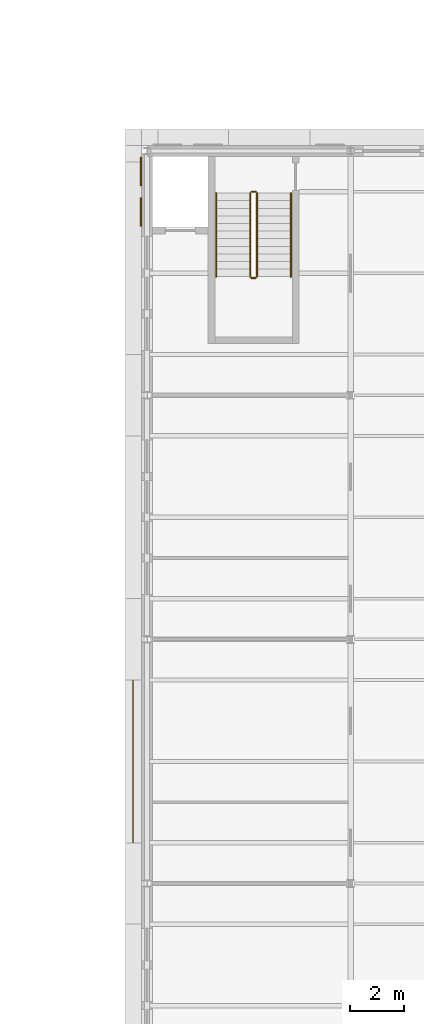
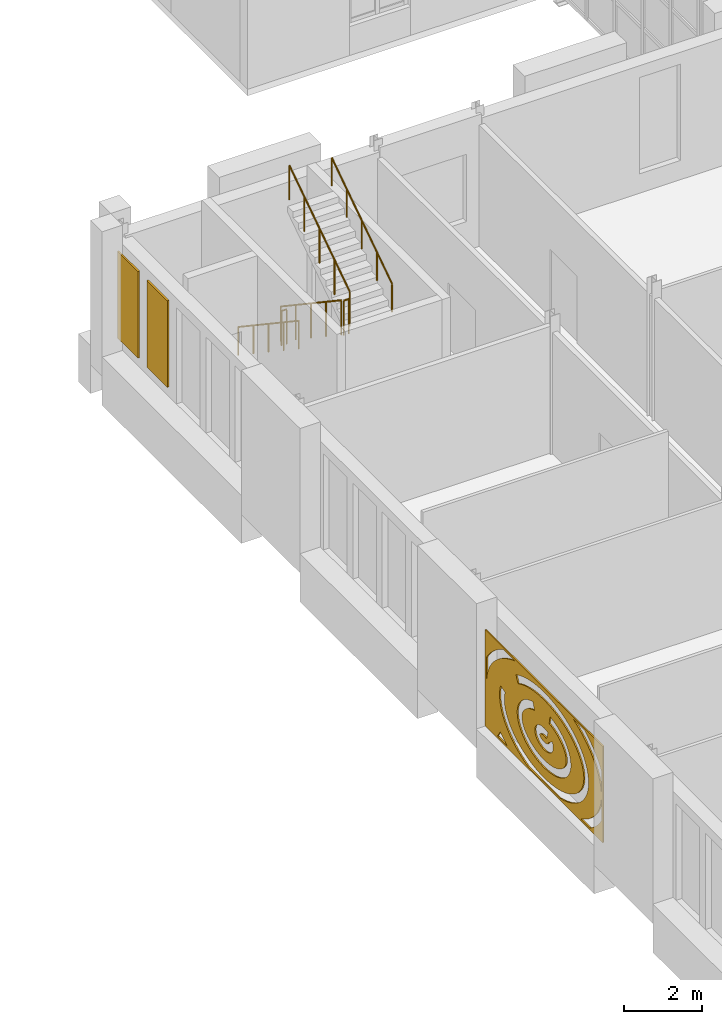
# One storey, part 113 of 131: 6 railings, 3 coverings.
"""IFC4 building model written with IfcOpenShell, lengths in metres."""

from ifc_helpers import new_model, si_unit, direction, frame, origin, origin_2d, place, context, subcontext, project, spatial, polyline, circle, outline, extrude, material, layer, layer_set, type_object, element, save


model = new_model("IFC4")

# Units and contexts
model_context = context("Model", 3, precision=1e-05, world=origin(), true_north=direction((0.0, 1.0)))
body_context = subcontext(model_context, "Body", "Model", "MODEL_VIEW")
ifc_project = project(units=[si_unit("LENGTHUNIT", "METRE"), si_unit("AREAUNIT", "SQUARE_METRE"), si_unit("VOLUMEUNIT", "CUBIC_METRE"), si_unit("PLANEANGLEUNIT", "RADIAN"), si_unit("MASSUNIT", "GRAM", prefix="KILO")], contexts=[model_context])

# Site, building, storey
site_placement = place(None, origin())
site = spatial("IfcSite", under=ifc_project, at=site_placement, CompositionType="ELEMENT")
building_placement = place(site_placement, origin())
building = spatial("IfcBuilding", under=site, at=building_placement, Name="Golden Quay Civic Hall", CompositionType="ELEMENT")
storey_placement = place(building_placement, frame((0.0, 0.0, 9.89990234375)))
storey = spatial("IfcBuildingStorey", under=building, at=storey_placement, Name="L02", CompositionType="ELEMENT", Elevation=9.89990234375)

# Covering
ifc_material_1 = material(Name="Aluminium, golden anodised, perforated", Category="aluminium")
ifc_layer_1 = layer(ifc_material_1, 0.0400390625)
ifc_layer_set_1 = layer_set([ifc_layer_1], Name="Perforated screen panel 6000 x 3000 x 40")
covering_type_1 = type_object("IfcCoveringType", Name="Perforated screen panel 6000 x 3000 x 40", PredefinedType="CLADDING", material=ifc_layer_set_1)
covering_1_placement = place(storey_placement, frame((53.5, 31.5, 2.10009765625), z_axis=(-1.0, 0.0, 0.0), x_axis=(0.0, -1.0, 0.0)))
element("IfcCovering", 1, at=covering_1_placement, inside=storey, type_object=covering_type_1, Name="Perforated screen panel 6000 x 3000 x 40 L02 7", PredefinedType="CLADDING", context=body_context, shape_type="SweptSolid", body=[
    extrude(outline(polyline([(-3.0, -1.5), (3.0, -1.5), (3.0, 1.5), (-3.0, 1.5), (-3.0, -1.5)]), holes=[polyline([(0.0810546875, 0.0087890625), (0.03125, 0.015380859375), (-0.02001953125, 0.01611328125), (-0.070556640625, 0.0107421875), (-0.1171875, 0.0), (-0.157470703125, -0.014892578125), (-0.201904296875, -0.04150390625), (-0.223876953125, -0.065185546875), (-0.228515625, -0.07470703125), (-0.228271484375, -0.085205078125), (-0.211181640625, -0.10986328125), (-0.17431640625, -0.13671875), (-0.1376953125, -0.1533203125), (-0.093994140625, -0.166259765625), (-0.044921875, -0.17431640625), (0.006103515625, -0.176513671875), (0.05712890625, -0.1728515625), (0.10498046875, -0.16357421875), (0.1474609375, -0.1494140625), (0.1953125, -0.123291015625), (0.215087890625, -0.10595703125), (0.227783203125, -0.087158203125), (0.227783203125, -0.072998046875), (0.2177734375, -0.055908203125), (0.421630859375, 0.072509765625), (0.449951171875, 0.020263671875), (0.4619140625, -0.015380859375), (0.46875, -0.052978515625), (0.469970703125, -0.09130859375), (0.46533203125, -0.12939453125), (0.455322265625, -0.16650390625), (0.440185546875, -0.20166015625), (0.412109375, -0.24560546875), (0.370849609375, -0.29052734375), (0.3330078125, -0.321044921875), (0.277587890625, -0.3544921875), (0.206787109375, -0.38427734375), (0.162109375, -0.397705078125), (0.085205078125, -0.412109375), (0.006103515625, -0.41748046875), (-0.0732421875, -0.41357421875), (-0.151123046875, -0.400146484375), (-0.2177734375, -0.380615234375), (-0.28662109375, -0.349853515625), (-0.326904296875, -0.3251953125), (-0.3759765625, -0.285888671875), (-0.40966796875, -0.248779296875), (-0.441650390625, -0.198486328125), (-0.461181640625, -0.147705078125), (-0.47021484375, -0.089599609375), (-0.466064453125, -0.033447265625), (-0.448974609375, 0.02294921875), (-0.431640625, 0.056884765625), (-0.41015625, 0.088134765625), (-0.37646484375, 0.125244140625), (-0.319091796875, 0.17041015625), (-0.253662109375, 0.2060546875), (-0.18212890625, 0.232177734375), (-0.144775390625, 0.24169921875), (-0.07421875, 0.25341796875), (0.01220703125, 0.25732421875), (0.084228515625, 0.252197265625), (0.123046875, 0.24609375), (0.1982421875, 0.227294921875), (0.13037109375, -0.00390625), (0.0810546875, 0.0087890625)]), polyline([(-0.6474609375, 0.453369140625), (-0.7177734375, 0.421875), (-0.783447265625, 0.387451171875), (-0.84423828125, 0.350341796875), (-0.8994140625, 0.31103515625), (-0.948974609375, 0.27001953125), (-0.992431640625, 0.227294921875), (-1.02978515625, 0.18359375), (-1.061279296875, 0.139404296875), (-1.08642578125, 0.0947265625), (-1.105712890625, 0.050048828125), (-1.119140625, 0.005615234375), (-1.126953125, -0.03857421875), (-1.12939453125, -0.082763671875), (-1.126220703125, -0.126953125), (-1.117919921875, -0.171142578125), (-1.103515625, -0.215576171875), (-1.083740234375, -0.26025390625), (-1.0576171875, -0.3046875), (-1.025634765625, -0.34912109375), (-0.9873046875, -0.392578125), (-0.943115234375, -0.43505859375), (-0.892822265625, -0.47607421875), (-0.8369140625, -0.51513671875), (-0.775634765625, -0.5517578125), (-0.709228515625, -0.5859375), (-0.638427734375, -0.6171875), (-0.5634765625, -0.64501953125), (-0.48486328125, -0.66943359375), (-0.403076171875, -0.690185546875), (-0.318603515625, -0.707275390625), (-0.232177734375, -0.72021484375), (-0.144287109375, -0.72900390625), (-0.055419921875, -0.733642578125), (0.03369140625, -0.734130859375), (0.122802734375, -0.73046875), (0.2109375, -0.72265625), (0.2978515625, -0.710693359375), (0.3828125, -0.694580078125), (0.46533203125, -0.6748046875), (0.544677734375, -0.6513671875), (0.62060546875, -0.624267578125), (0.692626953125, -0.59375), (0.760009765625, -0.560302734375), (0.822509765625, -0.524169921875), (0.8798828125, -0.485595703125), (0.931396484375, -0.4453125), (0.977294921875, -0.403076171875), (1.016845703125, -0.359619140625), (1.050537109375, -0.315673828125), (1.077880859375, -0.27099609375), (1.099365234375, -0.226318359375), (1.114990234375, -0.181884765625), (1.124755859375, -0.1376953125), (1.129150390625, -0.093505859375), (1.1279296875, -0.04931640625), (1.12158203125, -0.005126953125), (1.109619140625, 0.039306640625), (1.091796875, 0.083984375), (1.06787109375, 0.12841796875), (1.0380859375, 0.1728515625), (1.002197265625, 0.216796875), (0.9599609375, 0.259765625), (0.911865234375, 0.30126953125), (0.858154296875, 0.341064453125), (0.798583984375, 0.378662109375), (0.734130859375, 0.413818359375), (0.6650390625, 0.446044921875), (0.59130859375, 0.47509765625), (0.513916015625, 0.5009765625), (0.433349609375, 0.523193359375), (0.349853515625, 0.54150390625), (0.26123046875, 0.556396484375), (0.30126953125, 0.7939453125), (0.392822265625, 0.778564453125), (0.488037109375, 0.7578125), (0.587158203125, 0.73046875), (0.670654296875, 0.70263671875), (0.757080078125, 0.668701171875), (0.83935546875, 0.630615234375), (0.92431640625, 0.584228515625), (0.997802734375, 0.537353515625), (1.05859375, 0.4921875), (1.121337890625, 0.438720703125), (1.177734375, 0.381591796875), (1.23486328125, 0.31201171875), (1.277587890625, 0.2470703125), (1.307373046875, 0.19140625), (1.335693359375, 0.122314453125), (1.35595703125, 0.051025390625), (1.36865234375, -0.0361328125), (1.369384765625, -0.109619140625), (1.361328125, -0.182861328125), (1.344482421875, -0.254638671875), (1.32470703125, -0.31201171875), (1.286376953125, -0.39208984375), (1.245849609375, -0.456787109375), (1.205322265625, -0.510009765625), (1.14404296875, -0.576904296875), (1.083984375, -0.6318359375), (1.025146484375, -0.677978515625), (0.946533203125, -0.730712890625), (0.870361328125, -0.7744140625), (0.79638671875, -0.811279296875), (0.704833984375, -0.849853515625), (0.616455078125, -0.88134765625), (0.524658203125, -0.908203125), (0.430419921875, -0.930908203125), (0.339599609375, -0.947998046875), (0.2353515625, -0.96240234375), (0.135498046875, -0.97119140625), (0.035400390625, -0.97509765625), (-0.0595703125, -0.974609375), (-0.159912109375, -0.969482421875), (-0.264892578125, -0.958740234375), (-0.357421875, -0.945068359375), (-0.453369140625, -0.92578125), (-0.55322265625, -0.900390625), (-0.63818359375, -0.8740234375), (-0.725830078125, -0.841796875), (-0.809814453125, -0.804931640625), (-0.889404296875, -0.764404296875), (-0.96435546875, -0.719482421875), (-1.034423828125, -0.6708984375), (-1.09912109375, -0.618896484375), (-1.15771484375, -0.56298828125), (-1.21728515625, -0.4951171875), (-1.2626953125, -0.431396484375), (-1.30078125, -0.364501953125), (-1.326416015625, -0.307861328125), (-1.349609375, -0.2373046875), (-1.3662109375, -0.150634765625), (-1.3701171875, -0.091796875), (-1.3671875, -0.018310546875), (-1.351806640625, 0.068603515625), (-1.32958984375, 0.13916015625), (-1.29931640625, 0.20751953125), (-1.261474609375, 0.2734375), (-1.223388671875, 0.327392578125), (-1.171875, 0.38818359375), (-1.114013671875, 0.445556640625), (-1.042724609375, 0.504638671875), (-0.973388671875, 0.5537109375), (-0.89892578125, 0.598876953125), (-0.81982421875, 0.64013671875), (-0.736328125, 0.67724609375), (-0.649169921875, 0.710205078125), (-0.564697265625, 0.7373046875), (-0.49169921875, 0.507568359375), (-0.572998046875, 0.481689453125), (-0.6474609375, 0.453369140625)]), polyline([(-2.023193359375, 0.012939453125), (-2.029052734375, -0.059814453125), (-2.02734375, -0.13232421875), (-2.018310546875, -0.205078125), (-2.001708984375, -0.277587890625), (-1.977294921875, -0.349853515625), (-1.9453125, -0.421875), (-1.905517578125, -0.492919921875), (-1.85791015625, -0.563232421875), (-1.802734375, -0.632080078125), (-1.739990234375, -0.69921875), (-1.669921875, -0.764404296875), (-1.592529296875, -0.8271484375), (-1.50830078125, -0.886962890625), (-1.417724609375, -0.94384765625), (-1.32080078125, -0.997314453125), (-1.218017578125, -1.046875), (-1.110107421875, -1.092529296875), (-0.997314453125, -1.1337890625), (-0.88037109375, -1.1708984375), (-0.759521484375, -1.203125), (-0.635009765625, -1.230712890625), (-0.508056640625, -1.25341796875), (-0.37890625, -1.27099609375), (-0.248046875, -1.283203125), (-0.115966796875, -1.29052734375), (0.0166015625, -1.29248046875), (0.14892578125, -1.289306640625), (0.280517578125, -1.28076171875), (0.4111328125, -1.26708984375), (0.539794921875, -1.248291015625), (0.666259765625, -1.224365234375), (0.789794921875, -1.195556640625), (0.909912109375, -1.162109375), (1.02587890625, -1.1240234375), (1.137451171875, -1.08154296875), (1.244140625, -1.034912109375), (1.345458984375, -0.984130859375), (1.44091796875, -0.929931640625), (1.52978515625, -0.872314453125), (1.6123046875, -0.811767578125), (1.68798828125, -0.748291015625), (1.75634765625, -0.6826171875), (1.817138671875, -0.614990234375), (1.87060546875, -0.5458984375), (1.916015625, -0.475341796875), (1.953857421875, -0.404052734375), (1.98388671875, -0.33203125), (2.00634765625, -0.259521484375), (2.021240234375, -0.18701171875), (2.028564453125, -0.1142578125), (2.0283203125, -0.04150390625), (2.0205078125, 0.031005859375), (2.00537109375, 0.103759765625), (1.982421875, 0.176025390625), (1.951904296875, 0.248046875), (1.913818359375, 0.3193359375), (1.86767578125, 0.389892578125), (1.81396484375, 0.458984375), (1.752685546875, 0.5263671875), (1.683837890625, 0.592041015625), (1.60791015625, 0.6552734375), (1.525146484375, 0.7158203125), (1.435546875, 0.773193359375), (1.33984375, 0.8271484375), (1.23828125, 0.87744140625), (1.13134765625, 0.924072265625), (1.01953125, 0.96630859375), (0.9033203125, 1.004150390625), (0.782958984375, 1.037353515625), (0.6591796875, 1.06591796875), (0.53271484375, 1.08935546875), (0.40380859375, 1.10791015625), (0.273193359375, 1.121337890625), (0.1416015625, 1.12939453125), (0.009033203125, 1.132568359375), (-0.123291015625, 1.130126953125), (-0.25537109375, 1.122802734375), (-0.385986328125, 1.110107421875), (-0.515380859375, 1.09228515625), (-0.64208984375, 1.0693359375), (-0.76611328125, 1.04150390625), (-0.886962890625, 1.0087890625), (-1.00390625, 0.9716796875), (-1.116455078125, 0.929931640625), (-1.22412109375, 0.884033203125), (-1.3291015625, 0.8330078125), (-1.434814453125, 1.04931640625), (-1.3212890625, 1.1044921875), (-1.208251953125, 1.15283203125), (-1.07958984375, 1.200439453125), (-0.952392578125, 1.24072265625), (-0.821533203125, 1.27587890625), (-0.6923828125, 1.304931640625), (-0.55078125, 1.33056640625), (-0.411865234375, 1.349609375), (-0.276123046875, 1.36279296875), (-0.1298828125, 1.37109375), (0.00732421875, 1.373291015625), (0.1494140625, 1.370361328125), (0.290771484375, 1.361572265625), (0.430908203125, 1.347412109375), (0.574462890625, 1.32666015625), (0.705810546875, 1.30224609375), (0.839599609375, 1.271484375), (0.97509765625, 1.23388671875), (1.0966796875, 1.194580078125), (1.21923828125, 1.148193359375), (1.3427734375, 1.0947265625), (1.449951171875, 1.04150390625), (1.556884765625, 0.981201171875), (1.664306640625, 0.912353515625), (1.753173828125, 0.847412109375), (1.841064453125, 0.774658203125), (1.927978515625, 0.691650390625), (1.99560546875, 0.617431640625), (2.06103515625, 0.53369140625), (2.12353515625, 0.437744140625), (2.1669921875, 0.357177734375), (2.20654296875, 0.264892578125), (2.239990234375, 0.158935546875), (2.257568359375, 0.07470703125), (2.2685546875, -0.0224609375), (2.26953125, -0.119873046875), (2.258544921875, -0.229248046875), (2.23828125, -0.3251953125), (2.20849609375, -0.419677734375), (2.169189453125, -0.511962890625), (2.12109375, -0.601806640625), (2.064453125, -0.68896484375), (1.999267578125, -0.772705078125), (1.926513671875, -0.853515625), (1.845947265625, -0.930419921875), (1.75830078125, -1.003662109375), (1.669677734375, -1.068603515625), (1.568603515625, -1.134033203125), (1.461669921875, -1.1953125), (1.34912109375, -1.251708984375), (1.2314453125, -1.303466796875), (1.10888671875, -1.35009765625), (0.982421875, -1.391845703125), (0.802490234375, -1.43994140625), (-0.80419921875, -1.43994140625), (-0.9501953125, -1.4013671875), (-1.072509765625, -1.36279296875), (-1.196044921875, -1.317626953125), (-1.3203125, -1.264892578125), (-1.4287109375, -1.212646484375), (-1.536865234375, -1.153076171875), (-1.645263671875, -1.085205078125), (-1.7353515625, -1.02099609375), (-1.82470703125, -0.948974609375), (-1.9130859375, -0.86669921875), (-1.98779296875, -0.786376953125), (-2.049072265625, -0.7099609375), (-2.10791015625, -0.623779296875), (-2.1630859375, -0.52490234375), (-2.19970703125, -0.44287109375), (-2.231689453125, -0.348876953125), (-2.25439453125, -0.253173828125), (-2.26806640625, -0.14404296875), (-2.269775390625, -0.046630859375), (-2.26123046875, 0.050537109375), (-2.242919921875, 0.146728515625), (-2.21875, 0.230712890625), (-1.9873046875, 0.163818359375), (-2.010009765625, 0.085693359375), (-2.023193359375, 0.012939453125)]), polyline([(-2.008056640625, -1.365478515625), (-1.868408203125, -1.43994140625), (-2.34033203125, -1.43994140625), (-2.369140625, -1.42041015625), (-2.234619140625, -1.220703125), (-2.123291015625, -1.2958984375), (-2.008056640625, -1.365478515625)]), polyline([(1.86865234375, -1.43994140625), (2.0029296875, -1.368408203125), (2.118408203125, -1.298828125), (2.227294921875, -1.225830078125), (2.3291015625, -1.1494140625), (2.423583984375, -1.06982421875), (2.510498046875, -0.98779296875), (2.589599609375, -0.9033203125), (2.660400390625, -0.816650390625), (2.723388671875, -0.728271484375), (2.77783203125, -0.63818359375), (2.823974609375, -0.54736328125), (2.86181640625, -0.455322265625), (2.89111328125, -0.36279296875), (2.912353515625, -0.269775390625), (2.925048828125, -0.176513671875), (2.929443359375, -0.0830078125), (2.925537109375, 0.010498046875), (2.913330078125, 0.10400390625), (2.892822265625, 0.197021484375), (2.864013671875, 0.28955078125), (2.82666015625, 0.381591796875), (2.781005859375, 0.47265625), (2.726806640625, 0.5625), (2.66455078125, 0.651123046875), (2.593994140625, 0.73779296875), (2.515625, 0.822509765625), (2.42919921875, 0.90478515625), (2.335205078125, 0.984619140625), (2.23388671875, 1.06103515625), (2.12548828125, 1.134521484375), (2.01025390625, 1.2041015625), (1.888671875, 1.27001953125), (1.760986328125, 1.331787109375), (1.6279296875, 1.389404296875), (1.495849609375, 1.43994140625), (2.080810546875, 1.43994140625), (2.252685546875, 1.339111328125), (2.371337890625, 1.2587890625), (2.483154296875, 1.1748046875), (2.587646484375, 1.08642578125), (2.6845703125, 0.994384765625), (2.778564453125, 0.892822265625), (2.859130859375, 0.793212890625), (2.93994140625, 0.67578125), (2.93994140625, -0.83544921875), (2.849365234375, -0.966064453125), (2.76806640625, -1.064697265625), (2.683837890625, -1.155029296875), (2.586669921875, -1.247314453125), (2.481689453125, -1.3359375), (2.34033203125, -1.43994140625), (1.86865234375, -1.43994140625)]), polyline([(-1.616943359375, 1.393798828125), (-1.75048828125, 1.336669921875), (-1.878662109375, 1.275146484375), (-2.00048828125, 1.209716796875), (-2.1162109375, 1.14013671875), (-2.225341796875, 1.067138671875), (-2.327392578125, 0.99072265625), (-2.421875, 0.911376953125), (-2.5087890625, 0.829345703125), (-2.588134765625, 0.744873046875), (-2.6591796875, 0.658203125), (-2.72216796875, 0.56982421875), (-2.77685546875, 0.47998046875), (-2.8232421875, 0.388916015625), (-2.861083984375, 0.297119140625), (-2.890625, 0.20458984375), (-2.912109375, 0.111328125), (-2.9248046875, 0.01806640625), (-2.929443359375, -0.075439453125), (-2.925537109375, -0.17431640625), (-2.93994140625, -0.1748046875), (-2.93994140625, 0.67529296875), (-2.85302734375, 0.801513671875), (-2.771728515625, 0.90087890625), (-2.677001953125, 1.001953125), (-2.579345703125, 1.09375), (-2.474365234375, 1.181640625), (-2.362060546875, 1.265380859375), (-2.247802734375, 1.342041015625), (-2.080810546875, 1.43994140625), (-1.4951171875, 1.43994140625), (-1.616943359375, 1.393798828125)])]), origin(), (0.0, 0.0, 1.0), 0.0400390625),
])

# Railings
ifc_material_2 = material(Name="Steel S355", Category="steel")
railing_type_1 = type_object("IfcRailingType", Name="Steel guard 1100", PredefinedType="GUARDRAIL", material=ifc_material_2)
railing_1_placement = place(storey_placement, frame((57.800048828125, 52.449951171875, 0.1875)))
element("IfcRailing", 2, at=railing_1_placement, inside=storey, type_object=railing_type_1, Name="L02 WM-N stair guard 1", PredefinedType="GUARDRAIL", context=body_context, shape_type="SweptSolid", body=[
    extrude(circle(Radius=0.02392578125, at=origin_2d()), frame((0.0, 0.0, 1.076171875), z_axis=(0.0, -0.830893310487, 0.556431762742), x_axis=(1.0, 0.0, 0.0)), (0.0, 0.0, 1.0), 3.70654296875),
    extrude(circle(Radius=0.02099609375, at=origin_2d()), origin(), (0.0, 0.0, 1.0), 1.052001953125),
    extrude(circle(Radius=0.02099609375, at=origin_2d()), frame((0.0, -0.77001953125, 0.515625)), (0.0, 0.0, 1.0), 1.052001953125),
    extrude(circle(Radius=0.02099609375, at=origin_2d()), frame((0.0, -1.5400390625, 1.03125)), (0.0, 0.0, 1.0), 1.052001953125),
    extrude(circle(Radius=0.02099609375, at=origin_2d()), frame((0.0, -2.309814453125, 1.546875)), (0.0, 0.0, 1.0), 1.052001953125),
    extrude(circle(Radius=0.02099609375, at=origin_2d()), frame((0.0, -3.079833984375, 2.0625)), (0.0, 0.0, 1.0), 1.052001953125),
])
railing_2_placement = place(storey_placement, frame((57.85009765625, 49.320068359375, 2.25)))
element("IfcRailing", 3, at=railing_2_placement, inside=storey, type_object=railing_type_1, Name="L02 WM-N stair guard 2", PredefinedType="GUARDRAIL", context=body_context, shape_type="SweptSolid", body=[
    extrude(circle(Radius=0.02392578125, at=origin_2d()), frame((0.0, 0.0, 1.076171875), z_axis=(1.0, 0.0, 0.0), x_axis=(0.0, 1.0, 0.0)), (0.0, 0.0, 1.0), 0.14990234375),
    extrude(circle(Radius=0.02099609375, at=origin_2d()), origin(), (0.0, 0.0, 1.0), 1.052001953125),
    extrude(circle(Radius=0.02099609375, at=origin_2d()), frame((0.14990234375, 0.0, 0.0)), (0.0, 0.0, 1.0), 1.052001953125),
])
railing_3_placement = place(storey_placement, frame((58.050048828125, 49.3701171875, 2.4375)))
element("IfcRailing", 4, at=railing_3_placement, inside=storey, type_object=railing_type_1, Name="L02 WM-N stair guard 3", PredefinedType="GUARDRAIL", context=body_context, shape_type="SweptSolid", body=[
    extrude(circle(Radius=0.02392578125, at=origin_2d()), frame((0.0, 0.0, 1.076171875), z_axis=(0.0, 0.830893310487, 0.556431762742), x_axis=(-1.0, 0.0, 0.0)), (0.0, 0.0, 1.0), 3.70654296875),
    extrude(circle(Radius=0.02099609375, at=origin_2d()), origin(), (0.0, 0.0, 1.0), 1.052001953125),
    extrude(circle(Radius=0.02099609375, at=origin_2d()), frame((0.0, 0.77001953125, 0.515625)), (0.0, 0.0, 1.0), 1.052001953125),
    extrude(circle(Radius=0.02099609375, at=origin_2d()), frame((0.0, 1.5400390625, 1.03125)), (0.0, 0.0, 1.0), 1.052001953125),
    extrude(circle(Radius=0.02099609375, at=origin_2d()), frame((0.0, 2.309814453125, 1.546875)), (0.0, 0.0, 1.0), 1.052001953125),
    extrude(circle(Radius=0.02099609375, at=origin_2d()), frame((0.0, 3.079833984375, 2.0625)), (0.0, 0.0, 1.0), 1.052001953125),
])
railing_4_placement = place(storey_placement, frame((57.85009765625, 52.5, 0.0)))
element("IfcRailing", 5, at=railing_4_placement, inside=storey, type_object=railing_type_1, Name="L02 WM-N stair guard 4", PredefinedType="GUARDRAIL", context=body_context, shape_type="SweptSolid", body=[
    extrude(circle(Radius=0.02392578125, at=origin_2d()), frame((0.0, 0.0, 1.076171875), z_axis=(1.0, 0.0, 0.0), x_axis=(0.0, 1.0, 0.0)), (0.0, 0.0, 1.0), 0.14990234375),
    extrude(circle(Radius=0.02099609375, at=origin_2d()), origin(), (0.0, 0.0, 1.0), 1.052001953125),
    extrude(circle(Radius=0.02099609375, at=origin_2d()), frame((0.14990234375, 0.0, 0.0)), (0.0, 0.0, 1.0), 1.052001953125),
])
ifc_material_3 = material(Name="Steel S355", Category="steel")
railing_type_2 = type_object("IfcRailingType", Name="Steel handrail 900", PredefinedType="HANDRAIL", material=ifc_material_3)
railing_5_placement = place(storey_placement, frame((56.550048828125, 52.449951171875, 0.1875)))
element("IfcRailing", 6, at=railing_5_placement, inside=storey, type_object=railing_type_2, Name="L02 WM-N stair handrail 1", PredefinedType="HANDRAIL", context=body_context, shape_type="SweptSolid", body=[
    extrude(circle(Radius=0.02392578125, at=origin_2d()), frame((0.0, 0.0, 0.8759765625), z_axis=(0.0, -0.830893310487, 0.556431762742), x_axis=(1.0, 0.0, 0.0)), (0.0, 0.0, 1.0), 3.70654296875),
    extrude(circle(Radius=0.02099609375, at=origin_2d()), origin(), (0.0, 0.0, 1.0), 0.851806640625),
    extrude(circle(Radius=0.02099609375, at=origin_2d()), frame((0.0, -0.77001953125, 0.515625)), (0.0, 0.0, 1.0), 0.851806640625),
    extrude(circle(Radius=0.02099609375, at=origin_2d()), frame((0.0, -1.5400390625, 1.03125)), (0.0, 0.0, 1.0), 0.851806640625),
    extrude(circle(Radius=0.02099609375, at=origin_2d()), frame((0.0, -2.309814453125, 1.546875)), (0.0, 0.0, 1.0), 0.851806640625),
    extrude(circle(Radius=0.02099609375, at=origin_2d()), frame((0.0, -3.079833984375, 2.0625)), (0.0, 0.0, 1.0), 0.851806640625),
])
railing_6_placement = place(storey_placement, frame((59.300048828125, 49.3701171875, 2.4375)))
element("IfcRailing", 7, at=railing_6_placement, inside=storey, type_object=railing_type_2, Name="L02 WM-N stair handrail 2", PredefinedType="HANDRAIL", context=body_context, shape_type="SweptSolid", body=[
    extrude(circle(Radius=0.02392578125, at=origin_2d()), frame((0.0, 0.0, 0.8759765625), z_axis=(0.0, 0.830893310487, 0.556431762742), x_axis=(-1.0, 0.0, 0.0)), (0.0, 0.0, 1.0), 3.70654296875),
    extrude(circle(Radius=0.02099609375, at=origin_2d()), origin(), (0.0, 0.0, 1.0), 0.851806640625),
    extrude(circle(Radius=0.02099609375, at=origin_2d()), frame((0.0, 0.77001953125, 0.515625)), (0.0, 0.0, 1.0), 0.851806640625),
    extrude(circle(Radius=0.02099609375, at=origin_2d()), frame((0.0, 1.5400390625, 1.03125)), (0.0, 0.0, 1.0), 0.851806640625),
    extrude(circle(Radius=0.02099609375, at=origin_2d()), frame((0.0, 2.309814453125, 1.546875)), (0.0, 0.0, 1.0), 0.851806640625),
    extrude(circle(Radius=0.02099609375, at=origin_2d()), frame((0.0, 3.079833984375, 2.0625)), (0.0, 0.0, 1.0), 0.851806640625),
])

# Coverings
ifc_material_4 = material(Name="Terracotta cladding, golden glaze", Category="masonry")
ifc_layer_2 = layer(ifc_material_4, 0.050048828125)
ifc_layer_set_2 = layer_set([ifc_layer_2], Name="Terracotta solid panel 1050 x 2700 x 50")
covering_type_2 = type_object("IfcCoveringType", Name="Terracotta solid panel 1050 x 2700 x 50", PredefinedType="CLADDING", material=ifc_layer_set_2)
covering_2_placement = place(storey_placement, frame((0.0, 0.0, 0.900146484375)))
element("IfcCovering", 8, at=covering_2_placement, inside=storey, type_object=covering_type_2, Name="Terracotta solid panel 1050 x 2700 x 50 L02 17", PredefinedType="CLADDING", context=body_context, shape_type="SweptSolid", body=[
    extrude(outline(polyline([(53.800048828125, 51.22509765625), (53.800048828125, 52.27490234375), (53.75, 52.27490234375), (53.75, 51.22509765625), (53.800048828125, 51.22509765625)])), origin(), (0.0, 0.0, 1.0), 2.699951171875),
])
covering_3_placement = place(storey_placement, frame((0.0, 0.0, 0.900146484375)))
element("IfcCovering", 9, at=covering_3_placement, inside=storey, type_object=covering_type_2, Name="Terracotta solid panel 1050 x 2700 x 50 L02 18", PredefinedType="CLADDING", context=body_context, shape_type="SweptSolid", body=[
    extrude(outline(polyline([(53.800048828125, 52.72509765625), (53.800048828125, 53.77490234375), (53.75, 53.77490234375), (53.75, 52.72509765625), (53.800048828125, 52.72509765625)])), origin(), (0.0, 0.0, 1.0), 2.699951171875),
])

save(model, "model.ifc")
